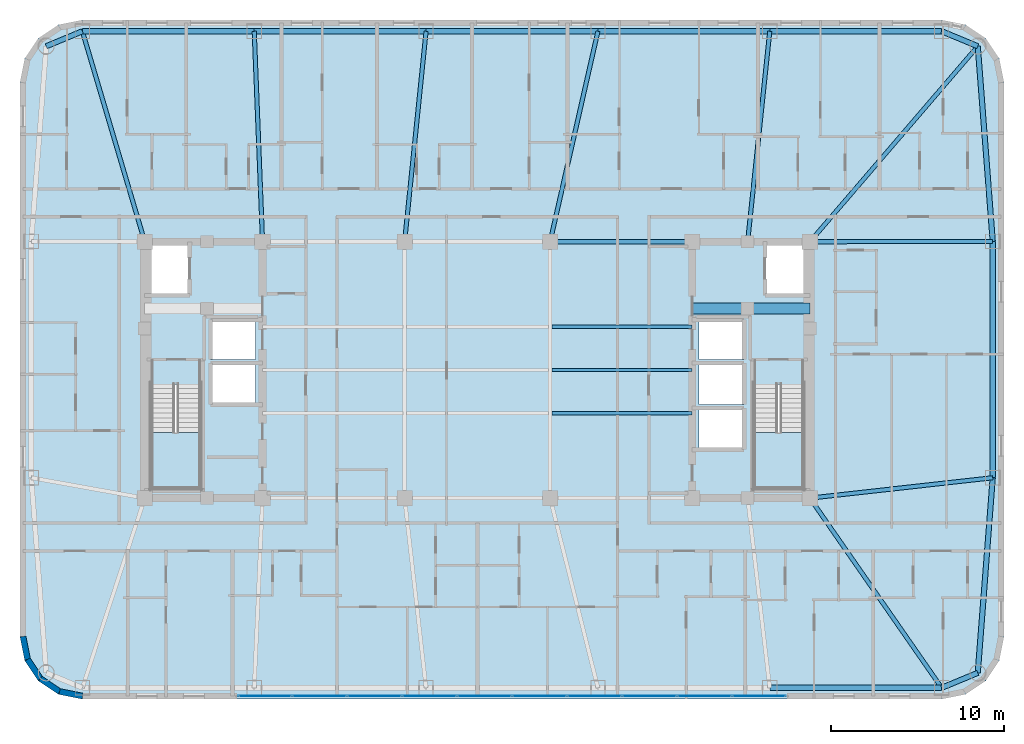
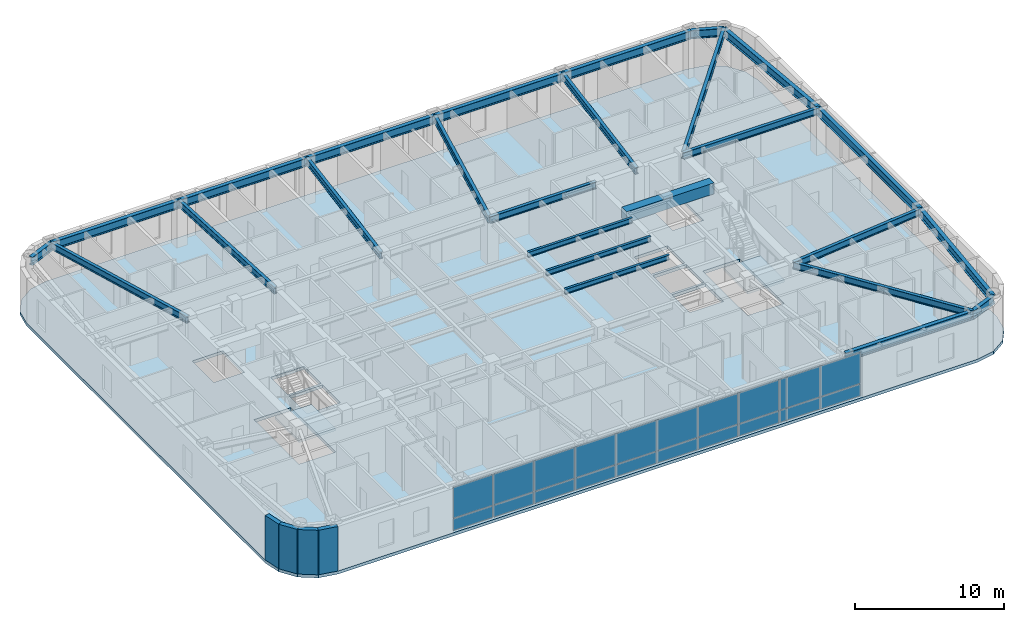
# One storey, part 7 of 17: 26 beams, 20 plates, 4 walls, 3 slabs, 3 elements without a shape of their own.
"""IFC4 building model written with IfcOpenShell, lengths in metres."""

import ifcopenshell
import ifcopenshell.guid

model = None  # the IFC model being written
_history = None  # IfcOwnerHistory: only IFC2X3 demands one
_inside = {}  # id of a spatial element -> (the spatial element, [elements in it])
_under = {}  # id of a project, library or spatial element -> (it, [spatial elements below it])
_declared = {}  # id of a project -> (the project, [libraries it declares])
_typed = {}  # id of a type object -> (the type object, [elements of that type])
_made_of = {}  # id of a material, layer set ... -> (it, [elements and type objects made of it])


def new_model(schema):
    """Start an empty IFC model of exactly this schema.

    Asked for "IFC4X3", IfcOpenShell would pick the latest addendum, in which some entities
    have other attributes; the version numbers below select the first issue.
    IFC2X3 requires an IfcOwnerHistory on every rooted entity: one is made here for all.
    """
    global model, _history
    if schema == "IFC4X3":
        model = ifcopenshell.file(schema_version=(4, 3, 0, 0))
    else:
        model = ifcopenshell.file(schema=schema)
    _inside.clear()
    _under.clear()
    _declared.clear()
    _typed.clear()
    _made_of.clear()
    _history = None
    if model.schema == "IFC2X3":
        org = make("IfcOrganization", Name="unknown")
        user = make(
            "IfcPersonAndOrganization",
            ThePerson=make("IfcPerson", FamilyName="unknown"),
            TheOrganization=org,
        )
        app = make(
            "IfcApplication",
            ApplicationDeveloper=org,
            Version="unknown",
            ApplicationFullName="unknown",
            ApplicationIdentifier="unknown",
        )
        _history = make(
            "IfcOwnerHistory",
            OwningUser=user,
            OwningApplication=app,
            ChangeAction="ADDED",
            CreationDate=0,
        )
    return model


def make(cls, **values):
    """One entity of the class cls with the attributes given. An attribute that is None is left unset."""
    return model.create_entity(
        cls, **{name: value for name, value in values.items() if value is not None}
    )


def rooted(cls, **values):
    """An entity with a GlobalId (a new one), such as an element, a storey or a relation."""
    return make(cls, GlobalId=ifcopenshell.guid.new(), OwnerHistory=_history, **values)


def si_unit(unit_type, name, prefix=None):
    """IfcSIUnit, for example si_unit("LENGTHUNIT", "METRE", prefix="MILLI")."""
    return make("IfcSIUnit", UnitType=unit_type, Prefix=prefix, Name=name)


def assignment(units):
    """IfcUnitAssignment: the units of a project."""
    return None if units is None else make("IfcUnitAssignment", Units=units)


def point(xyz):
    """IfcCartesianPoint."""
    return None if xyz is None else make("IfcCartesianPoint", Coordinates=xyz)


def direction(xyz):
    """IfcDirection."""
    return None if xyz is None else make("IfcDirection", DirectionRatios=xyz)


def frame(location, z_axis=None, x_axis=None):
    """IfcAxis2Placement3D, a coordinate frame: its origin and axes. An axis left out is left unset."""
    return make(
        "IfcAxis2Placement3D",
        Location=point(location),
        Axis=direction(z_axis),
        RefDirection=direction(x_axis),
    )


def frame_2d(location, x_axis=None):
    """IfcAxis2Placement2D, a coordinate frame in the plane: its origin and x axis."""
    return make(
        "IfcAxis2Placement2D", Location=point(location), RefDirection=direction(x_axis)
    )


def origin():
    """The frame at (0, 0, 0) with its axes left unset."""
    return frame((0.0, 0.0, 0.0))


def origin_2d():
    """The frame at (0, 0) in the plane with its x axis left unset."""
    return frame_2d((0.0, 0.0))


def place(relative_to, where):
    """IfcLocalPlacement: puts the frame where relative to a parent placement (None: the world)."""
    return make(
        "IfcLocalPlacement", PlacementRelTo=relative_to, RelativePlacement=where
    )


def context(
    kind, dimensions, precision=None, world=None, true_north=None, identifier=None
):
    """IfcGeometricRepresentationContext, for example the 3D "Model" context."""
    return make(
        "IfcGeometricRepresentationContext",
        ContextIdentifier=identifier,
        ContextType=kind,
        CoordinateSpaceDimension=dimensions,
        Precision=precision,
        WorldCoordinateSystem=world,
        TrueNorth=true_north,
    )


def subcontext(parent, identifier, kind, view, scale=None):
    """IfcGeometricRepresentationSubContext, for example "Body" below "Model"."""
    return make(
        "IfcGeometricRepresentationSubContext",
        ContextIdentifier=identifier,
        ContextType=kind,
        ParentContext=parent,
        TargetScale=scale,
        TargetView=view,
    )


def project(units=None, contexts=None):
    """IfcProject with its units and contexts."""
    return rooted(
        "IfcProject",
        Name="project",
        RepresentationContexts=contexts,
        UnitsInContext=assignment(units),
    )


def spatial(cls, under=None, at=None, **own):
    """A site, building, storey or space (cls), placed at a placement, below another one or the project."""
    s = rooted(cls, ObjectPlacement=at, **own)
    if under is not None:
        _under.setdefault(under.id(), (under, []))[1].append(s)
    return s


def polyline(points):
    """IfcPolyline through the points."""
    return make("IfcPolyline", Points=[point(p) for p in points])


def profile(cls, at=None, kind="AREA", **sizes):
    """A parametric profile (cls). Its sizes go by their IFC names, for example OverallWidth=200.0."""
    return make(cls, ProfileType=kind, Position=at, **sizes)


def rectangle(**sizes):
    """IfcRectangleProfileDef."""
    return profile("IfcRectangleProfileDef", **sizes)


def i_section(**sizes):
    """IfcIShapeProfileDef."""
    return profile("IfcIShapeProfileDef", **sizes)


def outline(outer, holes=None, kind="AREA"):
    """IfcArbitraryClosedProfileDef: a profile drawn as a closed curve; with holes, ...WithVoids."""
    if holes is None:
        return make("IfcArbitraryClosedProfileDef", ProfileType=kind, OuterCurve=outer)
    return make(
        "IfcArbitraryProfileDefWithVoids",
        ProfileType=kind,
        OuterCurve=outer,
        InnerCurves=holes,
    )


def extrude(swept, where, along, depth):
    """IfcExtrudedAreaSolid: the profile swept, set in the frame where, extruded along a direction by depth."""
    return make(
        "IfcExtrudedAreaSolid",
        SweptArea=swept,
        Position=where,
        ExtrudedDirection=direction(along),
        Depth=depth,
    )


def shape(context_of_items, identifier, shape_type, items):
    """IfcShapeRepresentation: the items that make up one representation, for example the "Body"."""
    return make(
        "IfcShapeRepresentation",
        ContextOfItems=context_of_items,
        RepresentationIdentifier=identifier,
        RepresentationType=shape_type,
        Items=items,
    )


def material(Name=None, Category=None):
    """IfcMaterial."""
    return make("IfcMaterial", Name=Name, Category=Category)


def layer(
    of_material, thickness, ventilated=None, Name=None, Category=None, Priority=None
):
    """IfcMaterialLayer: one layer of a wall or slab, of a material (None: an air gap)."""
    return make(
        "IfcMaterialLayer",
        Material=of_material,
        LayerThickness=thickness,
        IsVentilated=ventilated,
        Name=Name,
        Category=Category,
        Priority=Priority,
    )


def layer_set(layers, Name=None):
    """IfcMaterialLayerSet."""
    return make("IfcMaterialLayerSet", MaterialLayers=layers, LayerSetName=Name)


def material_profile(
    of_material, cross_section, Name=None, Category=None, Priority=None
):
    """IfcMaterialProfile: a cross section and its material."""
    return make(
        "IfcMaterialProfile",
        Name=Name,
        Material=of_material,
        Profile=cross_section,
        Priority=Priority,
        Category=Category,
    )


def profile_set(profiles, Name=None, composite=None):
    """IfcMaterialProfileSet."""
    return make(
        "IfcMaterialProfileSet",
        Name=Name,
        MaterialProfiles=profiles,
        CompositeProfile=composite,
    )


def made_of(thing, what):
    """Note that an element or type object is made of a material, layer set ...; save() writes the relation."""
    if what is not None:
        _made_of.setdefault(what.id(), (what, []))[1].append(thing)
    return thing


def type_object(cls, material=None, **own):
    """A type object (cls), such as IfcWallType, which elements share."""
    return made_of(rooted(cls, **own), material)


def element(
    cls,
    number,
    at=None,
    inside=None,
    cuts=None,
    type_object=None,
    material=None,
    context=None,
    identifier="Body",
    shape_type=None,
    held_by="IfcProductDefinitionShape",
    body=None,
    shapes=None,
    **own,
):
    """One element of the class cls, such as IfcWall. Its Tag is "e" and its number.

    at: its placement. inside: the storey or other place that contains it. cuts: it is an
    opening in that element (IfcRelVoidsElement). A single representation is given by context,
    identifier, shape_type and body (its items); several are given by shapes. held_by: the class
    of the entity that holds the representations. save() writes the other relations.
    """
    e = rooted(cls, Tag="e%d" % number, ObjectPlacement=at, **own)
    if body is not None:
        shapes = [shape(context, identifier, shape_type, body)]
    if shapes is not None:
        e.Representation = make(held_by, Representations=shapes)
    if inside is not None:
        _inside.setdefault(inside.id(), (inside, []))[1].append(e)
    if cuts is not None:
        rooted(
            "IfcRelVoidsElement", RelatingBuildingElement=cuts, RelatedOpeningElement=e
        )
    if type_object is not None:
        _typed.setdefault(type_object.id(), (type_object, []))[1].append(e)
    return made_of(e, material)


def aggregate(whole, parts):
    """IfcRelAggregates: a whole, such as a stair, and the parts it consists of."""
    return rooted("IfcRelAggregates", RelatingObject=whole, RelatedObjects=parts)


def save(model, path):
    """Write the relations noted so far, then the file.

    IfcRelAggregates (storeys below a building ...), IfcRelContainedInSpatialStructure (elements
    in a storey), IfcRelDefinesByType, IfcRelAssociatesMaterial and IfcRelDeclares: one each for
    every whole, place, type object, material and project.
    """
    for whole, parts in _under.values():
        aggregate(whole, parts)
    for where, things in _inside.values():
        rooted(
            "IfcRelContainedInSpatialStructure",
            RelatedElements=things,
            RelatingStructure=where,
        )
    for kind, things in _typed.values():
        rooted("IfcRelDefinesByType", RelatedObjects=things, RelatingType=kind)
    for what, things in _made_of.values():
        rooted("IfcRelAssociatesMaterial", RelatedObjects=things, RelatingMaterial=what)
    for by, libraries in _declared.values():
        rooted("IfcRelDeclares", RelatingContext=by, RelatedDefinitions=libraries)
    model.write(path)


model = new_model("IFC4")

# Units and contexts
model_context = context("Model", 3, precision=1e-05, world=origin(), true_north=direction((0.0, 1.0)))
body_context = subcontext(model_context, "Body", "Model", "MODEL_VIEW")
ifc_project = project(units=[si_unit("LENGTHUNIT", "METRE"), si_unit("AREAUNIT", "SQUARE_METRE"), si_unit("VOLUMEUNIT", "CUBIC_METRE"), si_unit("PLANEANGLEUNIT", "RADIAN"), si_unit("MASSUNIT", "GRAM", prefix="KILO")], contexts=[model_context])

# Site, building, storey
site_placement = place(None, origin())
site = spatial("IfcSite", under=ifc_project, at=site_placement, CompositionType="ELEMENT")
building_placement = place(site_placement, origin())
building = spatial("IfcBuilding", under=site, at=building_placement, Name="Voryun Gate Residences", CompositionType="ELEMENT")
storey_placement = place(building_placement, frame((0.0, 0.0, 204.10009765625)))
storey = spatial("IfcBuildingStorey", under=building, at=storey_placement, Name="L50", CompositionType="ELEMENT", Elevation=204.10009765625)

# Beams
ifc_material_1 = material(Name="Concrete C60/75", Category="concrete")
ifc_material_profile_1 = material_profile(ifc_material_1, rectangle(XDim=0.64990234375, YDim=0.89990234375, at=origin_2d()), Name="RC-650x900")
ifc_profile_set_1 = profile_set([ifc_material_profile_1], Name="Concrete C60/75")
beam_type_1 = type_object("IfcBeamType", Name="BM_COUP_RC900", PredefinedType="LINTEL", material=ifc_profile_set_1)
beam_1_placement = place(storey_placement, frame((12.39990234375, 3.550048828125, 3.199951171875), z_axis=(1.0, 0.0, 0.0), x_axis=(0.0, 1.0, 0.0)))
element("IfcBeam", 1, at=beam_1_placement, inside=storey, type_object=beam_type_1, Name="BM-L50-EC1", PredefinedType="LINTEL", context=body_context, shape_type="SweptSolid", body=[
    extrude(rectangle(XDim=0.64990234375, YDim=0.89990234375, at=origin_2d()), origin(), (0.0, 0.0, 1.0), 6.800048828125),
])
ifc_material_2 = material(Name="Steel SM355", Category="steel")
ifc_material_profile_2 = material_profile(ifc_material_2, i_section(OverallWidth=0.300048828125, OverallDepth=0.679931640625, WebThickness=0.013916015625, FlangeThickness=0.02490234375, FilletRadius=0.01806640625, at=origin_2d()), Name="H-680x300x14x25")
ifc_profile_set_2 = profile_set([ifc_material_profile_2], Name="Steel SM355")
beam_type_2 = type_object("IfcBeamType", Name="BM_EXO_SPANDREL_M", PredefinedType="SPANDREL", material=ifc_profile_set_2)
beam_2_placement = place(storey_placement, frame((16.8798828125, -18.35009765625, 3.309814453125), z_axis=(1.0, 0.0, 0.0), x_axis=(0.0, 1.0, 0.0)))
element("IfcBeam", 2, at=beam_2_placement, inside=storey, type_object=beam_type_2, Name="BM-L50-SPAND-05", PredefinedType="SPANDREL", context=body_context, shape_type="SweptSolid", body=[
    extrude(i_section(OverallWidth=0.300048828125, OverallDepth=0.679931640625, WebThickness=0.013916015625, FlangeThickness=0.02490234375, FilletRadius=0.01806640625, at=origin_2d()), origin(), (0.0, 0.0, 1.0), 9.920166015625),
])
beam_3_placement = place(storey_placement, frame((26.800048828125, -18.35009765625, 3.309814453125), z_axis=(0.923881087602, 0.382679678022, 0.0), x_axis=(-0.382679678022, 0.923881087602, 0.0)))
element("IfcBeam", 3, at=beam_3_placement, inside=storey, type_object=beam_type_2, Name="BM-L50-SPAND-06", PredefinedType="SPANDREL", context=body_context, shape_type="SweptSolid", body=[
    extrude(i_section(OverallWidth=0.300048828125, OverallDepth=0.679931640625, WebThickness=0.013916015625, FlangeThickness=0.02490234375, FilletRadius=0.01806640625, at=origin_2d()), origin(), (0.0, 0.0, 1.0), 2.2578125),
])
beam_4_placement = place(storey_placement, frame((28.885986328125, -17.486083984375, 3.309814453125), z_axis=(0.076480009441, 0.997071114894, 0.0), x_axis=(-0.997071114894, 0.076480009441, 0.0)))
element("IfcBeam", 4, at=beam_4_placement, inside=storey, type_object=beam_type_2, Name="BM-L50-SPAND-07", PredefinedType="SPANDREL", context=body_context, shape_type="SweptSolid", body=[
    extrude(i_section(OverallWidth=0.300048828125, OverallDepth=0.679931640625, WebThickness=0.013916015625, FlangeThickness=0.02490234375, FilletRadius=0.01806640625, at=origin_2d()), origin(), (0.0, 0.0, 1.0), 11.29736328125),
])
beam_5_placement = place(storey_placement, frame((29.75, -6.221923828125, 3.309814453125), z_axis=(0.0, 1.0, 0.0), x_axis=(-1.0, 0.0, 0.0)))
element("IfcBeam", 5, at=beam_5_placement, inside=storey, type_object=beam_type_2, Name="BM-L50-SPAND-08", PredefinedType="SPANDREL", context=body_context, shape_type="SweptSolid", body=[
    extrude(i_section(OverallWidth=0.300048828125, OverallDepth=0.679931640625, WebThickness=0.013916015625, FlangeThickness=0.02490234375, FilletRadius=0.01806640625, at=origin_2d()), origin(), (0.0, 0.0, 1.0), 13.64404296875),
])
beam_6_placement = place(storey_placement, frame((29.75, 7.422119140625, 3.309814453125), z_axis=(-0.076481657417, 0.997070988485, 0.0), x_axis=(-0.997070988485, -0.076481657417, 0.0)))
element("IfcBeam", 6, at=beam_6_placement, inside=storey, type_object=beam_type_2, Name="BM-L50-SPAND-09", PredefinedType="SPANDREL", context=body_context, shape_type="SweptSolid", body=[
    extrude(i_section(OverallWidth=0.300048828125, OverallDepth=0.679931640625, WebThickness=0.013916015625, FlangeThickness=0.02490234375, FilletRadius=0.01806640625, at=origin_2d()), origin(), (0.0, 0.0, 1.0), 11.297119140625),
])
beam_7_placement = place(storey_placement, frame((28.885986328125, 18.68603515625, 3.309814453125), z_axis=(-0.923881087602, 0.382679678022, 0.0), x_axis=(-0.382679678022, -0.923881087602, 0.0)))
element("IfcBeam", 7, at=beam_7_placement, inside=storey, type_object=beam_type_2, Name="BM-L50-SPAND-10", PredefinedType="SPANDREL", context=body_context, shape_type="SweptSolid", body=[
    extrude(i_section(OverallWidth=0.300048828125, OverallDepth=0.679931640625, WebThickness=0.013916015625, FlangeThickness=0.02490234375, FilletRadius=0.01806640625, at=origin_2d()), origin(), (0.0, 0.0, 1.0), 2.2578125),
])
beam_8_placement = place(storey_placement, frame((26.800048828125, 19.550048828125, 3.309814453125), z_axis=(-1.0, 0.0, 0.0), x_axis=(0.0, -1.0, 0.0)))
element("IfcBeam", 8, at=beam_8_placement, inside=storey, type_object=beam_type_2, Name="BM-L50-SPAND-11", PredefinedType="SPANDREL", context=body_context, shape_type="SweptSolid", body=[
    extrude(i_section(OverallWidth=0.300048828125, OverallDepth=0.679931640625, WebThickness=0.013916015625, FlangeThickness=0.02490234375, FilletRadius=0.01806640625, at=origin_2d()), origin(), (0.0, 0.0, 1.0), 9.920166015625),
])
for number, where, z_axis, x_axis, name in (
    (9, (16.8798828125, 19.550048828125, 3.309814453125), (-1.0, 0.0, 0.0), (0.0, -1.0, 0.0), "BM-L50-SPAND-12"),
    (10, (6.9599609375, 19.550048828125, 3.309814453125), (-1.0, 0.0, 0.0), (0.0, -1.0, 0.0), "BM-L50-SPAND-13"),
    (11, (-2.9599609375, 19.550048828125, 3.309814453125), (-1.0, 0.0, 0.0), (0.0, -1.0, 0.0), "BM-L50-SPAND-14"),
):
    element("IfcBeam", number, at=place(storey_placement, frame(where, z_axis=z_axis, x_axis=x_axis)), inside=storey, type_object=beam_type_2, Name=name, PredefinedType="SPANDREL", context=body_context, shape_type="SweptSolid", body=[
        extrude(i_section(OverallWidth=0.300048828125, OverallDepth=0.679931640625, WebThickness=0.013916015625, FlangeThickness=0.02490234375, FilletRadius=0.01806640625, at=origin_2d()), origin(), (0.0, 0.0, 1.0), 9.919921875),
    ])
beam_9_placement = place(storey_placement, frame((-12.8798828125, 19.550048828125, 3.309814453125), z_axis=(-1.0, 0.0, 0.0), x_axis=(0.0, -1.0, 0.0)))
element("IfcBeam", 12, at=beam_9_placement, inside=storey, type_object=beam_type_2, Name="BM-L50-SPAND-15", PredefinedType="SPANDREL", context=body_context, shape_type="SweptSolid", body=[
    extrude(i_section(OverallWidth=0.300048828125, OverallDepth=0.679931640625, WebThickness=0.013916015625, FlangeThickness=0.02490234375, FilletRadius=0.01806640625, at=origin_2d()), origin(), (0.0, 0.0, 1.0), 9.920166015625),
])
beam_10_placement = place(storey_placement, frame((-22.800048828125, 19.550048828125, 3.309814453125), z_axis=(-0.923881087602, -0.382679678022, 0.0), x_axis=(0.382679678022, -0.923881087602, 0.0)))
element("IfcBeam", 13, at=beam_10_placement, inside=storey, type_object=beam_type_2, Name="BM-L50-SPAND-16", PredefinedType="SPANDREL", context=body_context, shape_type="SweptSolid", body=[
    extrude(i_section(OverallWidth=0.300048828125, OverallDepth=0.679931640625, WebThickness=0.013916015625, FlangeThickness=0.02490234375, FilletRadius=0.01806640625, at=origin_2d()), origin(), (0.0, 0.0, 1.0), 2.2578125),
])
ifc_material_3 = material(Name="Steel SM355", Category="steel")
ifc_material_profile_3 = material_profile(ifc_material_3, i_section(OverallWidth=0.239990234375, OverallDepth=0.550048828125, WebThickness=0.011962890625, FlangeThickness=0.02001953125, FilletRadius=0.01806640625, at=origin_2d()), Name="H-550x240x12x20")
ifc_profile_set_3 = profile_set([ifc_material_profile_3], Name="Steel SM355")
beam_type_3 = type_object("IfcBeamType", Name="BM_GIRD_550", PredefinedType="USERDEFINED", material=ifc_profile_set_3)
beam_11_placement = place(storey_placement, frame((4.199951171875, 7.39990234375, 3.375), z_axis=(1.0, 0.0, 0.0), x_axis=(0.0, 1.0, 0.0)))
element("IfcBeam", 14, at=beam_11_placement, inside=storey, type_object=beam_type_3, Name="BM-L50-SPG3-N", ObjectType="GIRDER", PredefinedType="USERDEFINED", context=body_context, shape_type="SweptSolid", body=[
    extrude(i_section(OverallWidth=0.239990234375, OverallDepth=0.550048828125, WebThickness=0.011962890625, FlangeThickness=0.02001953125, FilletRadius=0.01806640625, at=origin_2d()), origin(), (0.0, 0.0, 1.0), 8.199951171875),
])
beam_12_placement = place(storey_placement, frame((19.199951171875, -7.39990234375, 3.375), z_axis=(0.570182975489, -0.821517726201, 0.0), x_axis=(0.821517726201, 0.570182975489, 0.0)))
element("IfcBeam", 15, at=beam_12_placement, inside=storey, type_object=beam_type_3, Name="BM-L50-RAD-S6", ObjectType="GIRDER", PredefinedType="USERDEFINED", context=body_context, shape_type="SweptSolid", body=[
    extrude(i_section(OverallWidth=0.239990234375, OverallDepth=0.550048828125, WebThickness=0.011962890625, FlangeThickness=0.02001953125, FilletRadius=0.01806640625, at=origin_2d()), origin(), (0.0, 0.0, 1.0), 13.329345703125),
])
beam_13_placement = place(storey_placement, frame((19.199951171875, -7.39990234375, 3.375), z_axis=(0.993824131675, 0.110966640486, 0.0), x_axis=(-0.110966640486, 0.993824131675, 0.0)))
element("IfcBeam", 16, at=beam_13_placement, inside=storey, type_object=beam_type_3, Name="BM-L50-RAD-E1", ObjectType="GIRDER", PredefinedType="USERDEFINED", context=body_context, shape_type="SweptSolid", body=[
    extrude(i_section(OverallWidth=0.239990234375, OverallDepth=0.550048828125, WebThickness=0.011962890625, FlangeThickness=0.02001953125, FilletRadius=0.01806640625, at=origin_2d()), origin(), (0.0, 0.0, 1.0), 10.61572265625),
])
beam_14_placement = place(storey_placement, frame((19.199951171875, 7.39990234375, 3.375), z_axis=(0.99999778271, 0.002105843108, 0.0), x_axis=(-0.002105843108, 0.99999778271, 0.0)))
element("IfcBeam", 17, at=beam_14_placement, inside=storey, type_object=beam_type_3, Name="BM-L50-RAD-E2", ObjectType="GIRDER", PredefinedType="USERDEFINED", context=body_context, shape_type="SweptSolid", body=[
    extrude(i_section(OverallWidth=0.239990234375, OverallDepth=0.550048828125, WebThickness=0.011962890625, FlangeThickness=0.02001953125, FilletRadius=0.01806640625, at=origin_2d()), origin(), (0.0, 0.0, 1.0), 10.550048828125),
])
beam_15_placement = place(storey_placement, frame((19.199951171875, 7.39990234375, 3.375), z_axis=(0.651264396721, 0.758850898111, 0.0), x_axis=(-0.758850898111, 0.651264396721, 0.0)))
element("IfcBeam", 18, at=beam_15_placement, inside=storey, type_object=beam_type_3, Name="BM-L50-RAD-CNE", ObjectType="GIRDER", PredefinedType="USERDEFINED", context=body_context, shape_type="SweptSolid", body=[
    extrude(i_section(OverallWidth=0.239990234375, OverallDepth=0.550048828125, WebThickness=0.011962890625, FlangeThickness=0.02001953125, FilletRadius=0.01806640625, at=origin_2d()), origin(), (0.0, 0.0, 1.0), 14.87255859375),
])
beam_16_placement = place(storey_placement, frame((15.60009765625, 7.39990234375, 3.375), z_axis=(0.104751358085, 0.994498442925, 0.0), x_axis=(-0.994498442925, 0.104751358085, 0.0)))
element("IfcBeam", 19, at=beam_16_placement, inside=storey, type_object=beam_type_3, Name="BM-L50-RAD-N2", ObjectType="GIRDER", PredefinedType="USERDEFINED", context=body_context, shape_type="SweptSolid", body=[
    extrude(i_section(OverallWidth=0.239990234375, OverallDepth=0.550048828125, WebThickness=0.011962890625, FlangeThickness=0.02001953125, FilletRadius=0.01806640625, at=origin_2d()), origin(), (0.0, 0.0, 1.0), 12.21728515625),
])
beam_17_placement = place(storey_placement, frame((4.199951171875, 7.39990234375, 3.375), z_axis=(0.221515238368, 0.975156910026, 0.0), x_axis=(-0.975156910026, 0.221515238368, 0.0)))
element("IfcBeam", 20, at=beam_17_placement, inside=storey, type_object=beam_type_3, Name="BM-L50-RAD-N3", ObjectType="GIRDER", PredefinedType="USERDEFINED", context=body_context, shape_type="SweptSolid", body=[
    extrude(i_section(OverallWidth=0.239990234375, OverallDepth=0.550048828125, WebThickness=0.011962890625, FlangeThickness=0.02001953125, FilletRadius=0.01806640625, at=origin_2d()), origin(), (0.0, 0.0, 1.0), 12.459716796875),
])
beam_18_placement = place(storey_placement, frame((-4.199951171875, 7.39990234375, 3.375), z_axis=(0.101528223047, 0.994832659257, 0.0), x_axis=(-0.994832659257, 0.101528223047, 0.0)))
element("IfcBeam", 21, at=beam_18_placement, inside=storey, type_object=beam_type_3, Name="BM-L50-RAD-N4", ObjectType="GIRDER", PredefinedType="USERDEFINED", context=body_context, shape_type="SweptSolid", body=[
    extrude(i_section(OverallWidth=0.239990234375, OverallDepth=0.550048828125, WebThickness=0.011962890625, FlangeThickness=0.02001953125, FilletRadius=0.01806640625, at=origin_2d()), origin(), (0.0, 0.0, 1.0), 12.213134765625),
])
beam_19_placement = place(storey_placement, frame((-12.39990234375, 7.39990234375, 3.375), z_axis=(-0.039473300578, 0.999220625558, 0.0), x_axis=(-0.999220625558, -0.039473300578, 0.0)))
element("IfcBeam", 22, at=beam_19_placement, inside=storey, type_object=beam_type_3, Name="BM-L50-RAD-N5", ObjectType="GIRDER", PredefinedType="USERDEFINED", context=body_context, shape_type="SweptSolid", body=[
    extrude(i_section(OverallWidth=0.239990234375, OverallDepth=0.550048828125, WebThickness=0.011962890625, FlangeThickness=0.02001953125, FilletRadius=0.01806640625, at=origin_2d()), origin(), (0.0, 0.0, 1.0), 12.15966796875),
])
beam_20_placement = place(storey_placement, frame((-19.199951171875, 7.39990234375, 3.375), z_axis=(-0.284092265434, 0.958796946553, 0.0), x_axis=(-0.958796946553, -0.284092265434, 0.0)))
element("IfcBeam", 23, at=beam_20_placement, inside=storey, type_object=beam_type_3, Name="BM-L50-RAD-N6", ObjectType="GIRDER", PredefinedType="USERDEFINED", context=body_context, shape_type="SweptSolid", body=[
    extrude(i_section(OverallWidth=0.239990234375, OverallDepth=0.550048828125, WebThickness=0.011962890625, FlangeThickness=0.02001953125, FilletRadius=0.01806640625, at=origin_2d()), origin(), (0.0, 0.0, 1.0), 12.67236328125),
])
ifc_material_4 = material(Name="Steel SM355", Category="steel")
ifc_material_profile_4 = material_profile(ifc_material_4, i_section(OverallWidth=0.18994140625, OverallDepth=0.419921875, WebThickness=0.009033203125, FlangeThickness=0.01611328125, FilletRadius=0.01806640625, at=origin_2d()), Name="H-420x190x9x16")
ifc_profile_set_4 = profile_set([ifc_material_profile_4], Name="Steel SM355")
beam_type_4 = type_object("IfcBeamType", Name="BM_SEC_420", PredefinedType="BEAM", material=ifc_profile_set_4)
for number, where, z_axis, x_axis, name in (
    (24, (4.300048828125, -2.5, 3.43994140625), (1.0, 0.0, 0.0), (0.0, 1.0, 0.0), "BM-L50-SEC-CS3"),
    (25, (4.300048828125, 0.0, 3.43994140625), (1.0, 0.0, 0.0), (0.0, 1.0, 0.0), "BM-L50-SEC-CM3"),
    (26, (4.300048828125, 2.5, 3.43994140625), (1.0, 0.0, 0.0), (0.0, 1.0, 0.0), "BM-L50-SEC-CN3"),
):
    element("IfcBeam", number, at=place(storey_placement, frame(where, z_axis=z_axis, x_axis=x_axis)), inside=storey, type_object=beam_type_4, Name=name, PredefinedType="BEAM", context=body_context, shape_type="SweptSolid", body=[
        extrude(i_section(OverallWidth=0.18994140625, OverallDepth=0.419921875, WebThickness=0.009033203125, FlangeThickness=0.01611328125, FilletRadius=0.01806640625, at=origin_2d()), origin(), (0.0, 0.0, 1.0), 8.099853515625),
    ])

# Curtain wall, plates
ifc_material_5 = material(Name="Anodised aluminium", Category="aluminium")
ifc_layer_1 = layer(ifc_material_5, 0.2099609375, Name="CW_SYS_SKYGARDEN_DARK_GLASS")
ifc_layer_set_1 = layer_set([ifc_layer_1], Name="Anodised aluminium")
curtain_wall_type = type_object("IfcCurtainWallType", Name="CW_SYS_SKYGARDEN_DARK_GLASS", PredefinedType="NOTDEFINED", material=ifc_layer_set_1)
curtain_wall_placement = place(storey_placement, origin())
curtain_wall = element("IfcCurtainWall", 27, at=curtain_wall_placement, inside=storey, type_object=curtain_wall_type, Name="Curtain wall CW5-L50-SG-01", PredefinedType="NOTDEFINED")
ifc_material_6 = material(Name="Laminated low-E glass", Category="glass")
ifc_layer_2 = layer(ifc_material_6, 0.0458984375, Name="PLT_GLASS_DARK_SKY")
ifc_layer_set_2 = layer_set([ifc_layer_2], Name="Laminated low-E glass")
plate_type = type_object("IfcPlateType", Name="PLT_GLASS_DARK_SKY", PredefinedType="CURTAIN_PANEL", material=ifc_layer_set_2)
plate_1_placement = place(storey_placement, frame((16.26025390625, -18.830078125, 0.059814453125), z_axis=(0.0, 0.0, 1.0), x_axis=(-1.0, 0.0, 0.0)))
plate_1 = element("IfcPlate", 28, at=plate_1_placement, type_object=plate_type, Name="CW5 panel 1.1", PredefinedType="CURTAIN_PANEL", context=body_context, shape_type="SweptSolid", body=[
    extrude(rectangle(XDim=3.082275390625, YDim=0.028076171875, at=origin_2d()), origin(), (0.0, 0.0, 1.0), 0.9599609375),
])
plate_2_placement = place(storey_placement, frame((16.26025390625, -18.830078125, 1.080078125), z_axis=(0.0, 0.0, 1.0), x_axis=(-1.0, 0.0, 0.0)))
plate_2 = element("IfcPlate", 29, at=plate_2_placement, type_object=plate_type, Name="CW5 panel 1.2", PredefinedType="CURTAIN_PANEL", context=body_context, shape_type="SweptSolid", body=[
    extrude(rectangle(XDim=3.082275390625, YDim=0.028076171875, at=origin_2d()), origin(), (0.0, 0.0, 1.0), 2.510009765625),
])
plate_3_placement = place(storey_placement, frame((13.10302734375, -18.830078125, 0.059814453125), z_axis=(0.0, 0.0, 1.0), x_axis=(-1.0, 0.0, 0.0)))
plate_3 = element("IfcPlate", 30, at=plate_3_placement, type_object=plate_type, Name="CW5 panel 2.1", PredefinedType="CURTAIN_PANEL", context=body_context, shape_type="SweptSolid", body=[
    extrude(rectangle(XDim=3.1123046875, YDim=0.028076171875, at=origin_2d()), origin(), (0.0, 0.0, 1.0), 0.9599609375),
])
plate_4_placement = place(storey_placement, frame((13.10302734375, -18.830078125, 1.080078125), z_axis=(0.0, 0.0, 1.0), x_axis=(-1.0, 0.0, 0.0)))
plate_4 = element("IfcPlate", 31, at=plate_4_placement, type_object=plate_type, Name="CW5 panel 2.2", PredefinedType="CURTAIN_PANEL", context=body_context, shape_type="SweptSolid", body=[
    extrude(rectangle(XDim=3.1123046875, YDim=0.028076171875, at=origin_2d()), origin(), (0.0, 0.0, 1.0), 2.510009765625),
])
plate_5_placement = place(storey_placement, frame((9.9306640625, -18.830078125, 0.059814453125), z_axis=(0.0, 0.0, 1.0), x_axis=(-1.0, 0.0, 0.0)))
plate_5 = element("IfcPlate", 32, at=plate_5_placement, type_object=plate_type, Name="CW5 panel 3.1", PredefinedType="CURTAIN_PANEL", context=body_context, shape_type="SweptSolid", body=[
    extrude(rectangle(XDim=3.1123046875, YDim=0.028076171875, at=origin_2d()), origin(), (0.0, 0.0, 1.0), 0.9599609375),
])
plate_6_placement = place(storey_placement, frame((9.9306640625, -18.830078125, 1.080078125), z_axis=(0.0, 0.0, 1.0), x_axis=(-1.0, 0.0, 0.0)))
plate_6 = element("IfcPlate", 33, at=plate_6_placement, type_object=plate_type, Name="CW5 panel 3.2", PredefinedType="CURTAIN_PANEL", context=body_context, shape_type="SweptSolid", body=[
    extrude(rectangle(XDim=3.1123046875, YDim=0.028076171875, at=origin_2d()), origin(), (0.0, 0.0, 1.0), 2.510009765625),
])
plate_7_placement = place(storey_placement, frame((6.75830078125, -18.830078125, 0.059814453125), z_axis=(0.0, 0.0, 1.0), x_axis=(-1.0, 0.0, 0.0)))
plate_7 = element("IfcPlate", 34, at=plate_7_placement, type_object=plate_type, Name="CW5 panel 4.1", PredefinedType="CURTAIN_PANEL", context=body_context, shape_type="SweptSolid", body=[
    extrude(rectangle(XDim=3.1123046875, YDim=0.028076171875, at=origin_2d()), origin(), (0.0, 0.0, 1.0), 0.9599609375),
])
plate_8_placement = place(storey_placement, frame((6.75830078125, -18.830078125, 1.080078125), z_axis=(0.0, 0.0, 1.0), x_axis=(-1.0, 0.0, 0.0)))
plate_8 = element("IfcPlate", 35, at=plate_8_placement, type_object=plate_type, Name="CW5 panel 4.2", PredefinedType="CURTAIN_PANEL", context=body_context, shape_type="SweptSolid", body=[
    extrude(rectangle(XDim=3.1123046875, YDim=0.028076171875, at=origin_2d()), origin(), (0.0, 0.0, 1.0), 2.510009765625),
])
plate_9_placement = place(storey_placement, frame((3.586181640625, -18.830078125, 0.059814453125), z_axis=(0.0, 0.0, 1.0), x_axis=(-1.0, 0.0, 0.0)))
plate_9 = element("IfcPlate", 36, at=plate_9_placement, type_object=plate_type, Name="CW5 panel 5.1", PredefinedType="CURTAIN_PANEL", context=body_context, shape_type="SweptSolid", body=[
    extrude(rectangle(XDim=3.1123046875, YDim=0.028076171875, at=origin_2d()), origin(), (0.0, 0.0, 1.0), 0.9599609375),
])
plate_10_placement = place(storey_placement, frame((3.586181640625, -18.830078125, 1.080078125), z_axis=(0.0, 0.0, 1.0), x_axis=(-1.0, 0.0, 0.0)))
plate_10 = element("IfcPlate", 37, at=plate_10_placement, type_object=plate_type, Name="CW5 panel 5.2", PredefinedType="CURTAIN_PANEL", context=body_context, shape_type="SweptSolid", body=[
    extrude(rectangle(XDim=3.1123046875, YDim=0.028076171875, at=origin_2d()), origin(), (0.0, 0.0, 1.0), 2.510009765625),
])
plate_11_placement = place(storey_placement, frame((0.413818359375, -18.830078125, 0.059814453125), z_axis=(0.0, 0.0, 1.0), x_axis=(-1.0, 0.0, 0.0)))
plate_11 = element("IfcPlate", 38, at=plate_11_placement, type_object=plate_type, Name="CW5 panel 6.1", PredefinedType="CURTAIN_PANEL", context=body_context, shape_type="SweptSolid", body=[
    extrude(rectangle(XDim=3.1123046875, YDim=0.028076171875, at=origin_2d()), origin(), (0.0, 0.0, 1.0), 0.9599609375),
])
plate_12_placement = place(storey_placement, frame((0.413818359375, -18.830078125, 1.080078125), z_axis=(0.0, 0.0, 1.0), x_axis=(-1.0, 0.0, 0.0)))
plate_12 = element("IfcPlate", 39, at=plate_12_placement, type_object=plate_type, Name="CW5 panel 6.2", PredefinedType="CURTAIN_PANEL", context=body_context, shape_type="SweptSolid", body=[
    extrude(rectangle(XDim=3.1123046875, YDim=0.028076171875, at=origin_2d()), origin(), (0.0, 0.0, 1.0), 2.510009765625),
])
plate_13_placement = place(storey_placement, frame((-2.75830078125, -18.830078125, 0.059814453125), z_axis=(0.0, 0.0, 1.0), x_axis=(-1.0, 0.0, 0.0)))
plate_13 = element("IfcPlate", 40, at=plate_13_placement, type_object=plate_type, Name="CW5 panel 7.1", PredefinedType="CURTAIN_PANEL", context=body_context, shape_type="SweptSolid", body=[
    extrude(rectangle(XDim=3.1123046875, YDim=0.028076171875, at=origin_2d()), origin(), (0.0, 0.0, 1.0), 0.9599609375),
])
plate_14_placement = place(storey_placement, frame((-2.75830078125, -18.830078125, 1.080078125), z_axis=(0.0, 0.0, 1.0), x_axis=(-1.0, 0.0, 0.0)))
plate_14 = element("IfcPlate", 41, at=plate_14_placement, type_object=plate_type, Name="CW5 panel 7.2", PredefinedType="CURTAIN_PANEL", context=body_context, shape_type="SweptSolid", body=[
    extrude(rectangle(XDim=3.1123046875, YDim=0.028076171875, at=origin_2d()), origin(), (0.0, 0.0, 1.0), 2.510009765625),
])
plate_15_placement = place(storey_placement, frame((-5.9306640625, -18.830078125, 0.059814453125), z_axis=(0.0, 0.0, 1.0), x_axis=(-1.0, 0.0, 0.0)))
plate_15 = element("IfcPlate", 42, at=plate_15_placement, type_object=plate_type, Name="CW5 panel 8.1", PredefinedType="CURTAIN_PANEL", context=body_context, shape_type="SweptSolid", body=[
    extrude(rectangle(XDim=3.1123046875, YDim=0.028076171875, at=origin_2d()), origin(), (0.0, 0.0, 1.0), 0.9599609375),
])
plate_16_placement = place(storey_placement, frame((-5.9306640625, -18.830078125, 1.080078125), z_axis=(0.0, 0.0, 1.0), x_axis=(-1.0, 0.0, 0.0)))
plate_16 = element("IfcPlate", 43, at=plate_16_placement, type_object=plate_type, Name="CW5 panel 8.2", PredefinedType="CURTAIN_PANEL", context=body_context, shape_type="SweptSolid", body=[
    extrude(rectangle(XDim=3.1123046875, YDim=0.028076171875, at=origin_2d()), origin(), (0.0, 0.0, 1.0), 2.510009765625),
])
plate_17_placement = place(storey_placement, frame((-9.10302734375, -18.830078125, 0.059814453125), z_axis=(0.0, 0.0, 1.0), x_axis=(-1.0, 0.0, 0.0)))
plate_17 = element("IfcPlate", 44, at=plate_17_placement, type_object=plate_type, Name="CW5 panel 9.1", PredefinedType="CURTAIN_PANEL", context=body_context, shape_type="SweptSolid", body=[
    extrude(rectangle(XDim=3.1123046875, YDim=0.028076171875, at=origin_2d()), origin(), (0.0, 0.0, 1.0), 0.9599609375),
])
plate_18_placement = place(storey_placement, frame((-9.10302734375, -18.830078125, 1.080078125), z_axis=(0.0, 0.0, 1.0), x_axis=(-1.0, 0.0, 0.0)))
plate_18 = element("IfcPlate", 45, at=plate_18_placement, type_object=plate_type, Name="CW5 panel 9.2", PredefinedType="CURTAIN_PANEL", context=body_context, shape_type="SweptSolid", body=[
    extrude(rectangle(XDim=3.1123046875, YDim=0.028076171875, at=origin_2d()), origin(), (0.0, 0.0, 1.0), 2.510009765625),
])
plate_19_placement = place(storey_placement, frame((-12.26025390625, -18.830078125, 0.059814453125), z_axis=(0.0, 0.0, 1.0), x_axis=(-1.0, 0.0, 0.0)))
plate_19 = element("IfcPlate", 46, at=plate_19_placement, type_object=plate_type, Name="CW5 panel 10.1", PredefinedType="CURTAIN_PANEL", context=body_context, shape_type="SweptSolid", body=[
    extrude(rectangle(XDim=3.082275390625, YDim=0.028076171875, at=origin_2d()), origin(), (0.0, 0.0, 1.0), 0.9599609375),
])
plate_20_placement = place(storey_placement, frame((-12.26025390625, -18.830078125, 1.080078125), z_axis=(0.0, 0.0, 1.0), x_axis=(-1.0, 0.0, 0.0)))
plate_20 = element("IfcPlate", 47, at=plate_20_placement, type_object=plate_type, Name="CW5 panel 10.2", PredefinedType="CURTAIN_PANEL", context=body_context, shape_type="SweptSolid", body=[
    extrude(rectangle(XDim=3.082275390625, YDim=0.028076171875, at=origin_2d()), origin(), (0.0, 0.0, 1.0), 2.510009765625),
])
aggregate(curtain_wall, [plate_1, plate_2, plate_3, plate_4, plate_5, plate_6, plate_7, plate_8, plate_9, plate_10, plate_11, plate_12, plate_13, plate_14, plate_15, plate_16, plate_17, plate_18, plate_19, plate_20])

# Slab
ifc_material_7 = material(Name="Concrete C40/50", Category="concrete")
ifc_layer_3 = layer(ifc_material_7, 0.25, Name="SLB_RES_250")
ifc_layer_set_3 = layer_set([ifc_layer_3], Name="Concrete C40/50")
slab_type_1 = type_object("IfcSlabType", Name="SLB_RES_250", PredefinedType="FLOOR", material=ifc_layer_set_3)
slab_1_placement = place(storey_placement, frame((0.0, 0.0, -0.25)))
element("IfcSlab", 48, at=slab_1_placement, inside=storey, type_object=slab_type_1, Name="L50 Structural Floor Slab", PredefinedType="FLOOR", context=body_context, shape_type="SweptSolid", body=[
    extrude(outline(polyline([(-22.800048828125, -19.0), (-24.177734375, -18.72607421875), (-25.345458984375, -17.945556640625), (-26.1259765625, -16.777587890625), (-26.39990234375, -15.39990234375), (-26.39990234375, 16.60009765625), (-26.1259765625, 17.9775390625), (-25.345458984375, 19.1455078125), (-24.177734375, 19.926025390625), (-22.800048828125, 20.199951171875), (26.800048828125, 20.199951171875), (28.177734375, 19.926025390625), (29.345458984375, 19.1455078125), (30.1259765625, 17.9775390625), (30.39990234375, 16.60009765625), (30.39990234375, -15.39990234375), (30.1259765625, -16.777587890625), (29.345458984375, -17.945556640625), (28.177734375, -18.72607421875), (26.800048828125, -19.0), (-22.800048828125, -19.0)]), holes=[polyline([(-15.97509765625, -6.85009765625), (-15.97509765625, -0.840087890625), (-18.824951171875, -0.840087890625), (-18.824951171875, -6.85009765625), (-15.97509765625, -6.85009765625)]), polyline([(18.824951171875, -6.85009765625), (18.824951171875, -0.840087890625), (15.97509765625, -0.840087890625), (15.97509765625, -6.85009765625), (18.824951171875, -6.85009765625)]), polyline([(15.39990234375, -2.199951171875), (12.800048828125, -2.199951171875), (12.800048828125, -4.60009765625), (15.39990234375, -4.60009765625), (15.39990234375, -2.199951171875)]), polyline([(-12.800048828125, 0.39990234375), (-15.39990234375, 0.39990234375), (-15.39990234375, -2.0), (-12.800048828125, -2.0), (-12.800048828125, 0.39990234375)]), polyline([(15.39990234375, 0.39990234375), (12.800048828125, 0.39990234375), (12.800048828125, -2.0), (15.39990234375, -2.0), (15.39990234375, 0.39990234375)]), polyline([(-12.800048828125, 2.89990234375), (-15.39990234375, 2.89990234375), (-15.39990234375, 0.60009765625), (-12.800048828125, 0.60009765625), (-12.800048828125, 2.89990234375)]), polyline([(15.39990234375, 2.89990234375), (12.800048828125, 2.89990234375), (12.800048828125, 0.60009765625), (15.39990234375, 0.60009765625), (15.39990234375, 2.89990234375)]), polyline([(-16.60009765625, 4.300048828125), (-16.60009765625, 7.199951171875), (-19.0, 7.199951171875), (-19.0, 4.300048828125), (-16.60009765625, 4.300048828125)]), polyline([(19.0, 4.300048828125), (19.0, 7.199951171875), (16.60009765625, 7.199951171875), (16.60009765625, 4.300048828125), (19.0, 4.300048828125)])]), origin(), (0.0, 0.0, 1.0), 0.25),
])

# Stair, slab
ifc_material_8 = material(Name="Concrete C40/50", Category="concrete")
stair_type = type_object("IfcStairType", Name="STR_CORE_DOGLEG_1350", PredefinedType="HALF_TURN_STAIR", material=ifc_material_8)
stair_1_placement = place(storey_placement, origin())
stair_1 = element("IfcStair", 49, at=stair_1_placement, inside=storey, type_object=stair_type, Name="L50 Special Escape Stair ST-W1", PredefinedType="HALF_TURN_STAIR")
ifc_material_9 = material(Name="Concrete C40/50", Category="concrete")
ifc_layer_4 = layer(ifc_material_9, 0.199951171875, Name="SLB_STAIR_LANDING_200")
ifc_layer_set_4 = layer_set([ifc_layer_4], Name="Concrete C40/50")
slab_type_2 = type_object("IfcSlabType", Name="SLB_STAIR_LANDING_200", PredefinedType="LANDING", material=ifc_layer_set_4)
slab_2_placement = place(storey_placement, frame((0.0, 0.0, 1.75)))
slab_2 = element("IfcSlab", 50, at=slab_2_placement, type_object=slab_type_2, Name="ST-W1 landing 1", PredefinedType="LANDING", context=body_context, shape_type="SweptSolid", body=[
    extrude(outline(polyline([(-18.824951171875, -3.60009765625), (-18.824951171875, -6.85009765625), (-15.97509765625, -6.85009765625), (-15.97509765625, -3.60009765625), (-18.824951171875, -3.60009765625)])), origin(), (0.0, 0.0, 1.0), 0.199951171875),
])
aggregate(stair_1, [slab_2])

stair_2_placement = place(storey_placement, origin())
stair_2 = element("IfcStair", 51, at=stair_2_placement, inside=storey, type_object=stair_type, Name="L50 Special Escape Stair ST-E1", PredefinedType="HALF_TURN_STAIR")
slab_3_placement = place(storey_placement, frame((0.0, 0.0, 1.75)))
slab_3 = element("IfcSlab", 52, at=slab_3_placement, type_object=slab_type_2, Name="ST-E1 landing 1", PredefinedType="LANDING", context=body_context, shape_type="SweptSolid", body=[
    extrude(outline(polyline([(15.97509765625, -3.60009765625), (15.97509765625, -6.85009765625), (18.824951171875, -6.85009765625), (18.824951171875, -3.60009765625), (15.97509765625, -3.60009765625)])), origin(), (0.0, 0.0, 1.0), 0.199951171875),
])
aggregate(stair_2, [slab_3])

# Walls
ifc_material_10 = material(Name="Charcoal terracotta masonry", Category="masonry")
ifc_layer_5 = layer(ifc_material_10, 0.340087890625, Name="W_EXT_TERRACOTTA_340")
ifc_layer_set_5 = layer_set([ifc_layer_5], Name="Charcoal terracotta masonry")
wall_type = type_object("IfcWallType", Name="W_EXT_TERRACOTTA_340", PredefinedType="ELEMENTEDWALL", material=ifc_layer_set_5)
wall_1_placement = place(storey_placement, frame((-22.783203125, -18.830078125, 0.0), z_axis=(0.0, 0.0, 1.0), x_axis=(-0.980788153188, 0.195075878998, 0.0)))
element("IfcWall", 53, at=wall_1_placement, inside=storey, type_object=wall_type, Name="Exterior wall WEXT-L50-02", PredefinedType="ELEMENTEDWALL", context=body_context, shape_type="SweptSolid", body=[
    extrude(rectangle(XDim=1.354248046875, YDim=0.340087890625, at=frame_2d((0.67724609375, 0.0))), origin(), (0.0, 0.0, 1.0), 3.64990234375),
])
wall_2_placement = place(storey_placement, frame((-24.111328125, -18.56591796875, 0.0), z_axis=(0.0, 0.0, 1.0), x_axis=(-0.831403586725, 0.555669034571, 0.0)))
element("IfcWall", 54, at=wall_2_placement, inside=storey, type_object=wall_type, Name="Exterior wall WEXT-L50-03", PredefinedType="ELEMENTEDWALL", context=body_context, shape_type="SweptSolid", body=[
    extrude(rectangle(XDim=1.3369140625, YDim=0.340087890625, at=frame_2d((0.66845703125, 0.0))), origin(), (0.0, 0.0, 1.0), 3.64990234375),
])
wall_3_placement = place(storey_placement, frame((-25.222900390625, -17.822998046875, 0.0), z_axis=(0.0, 0.0, 1.0), x_axis=(-0.555584683399, 0.831459956686, 0.0)))
element("IfcWall", 55, at=wall_3_placement, inside=storey, type_object=wall_type, Name="Exterior wall WEXT-L50-04", PredefinedType="ELEMENTEDWALL", context=body_context, shape_type="SweptSolid", body=[
    extrude(rectangle(XDim=1.337158203125, YDim=0.340087890625, at=frame_2d((0.66845703125, 0.0))), origin(), (0.0, 0.0, 1.0), 3.64990234375),
])
wall_4_placement = place(storey_placement, frame((-25.9658203125, -16.711181640625, 0.0), z_axis=(0.0, 0.0, 1.0), x_axis=(-0.195110379894, 0.98078129043, 0.0)))
element("IfcWall", 56, at=wall_4_placement, inside=storey, type_object=wall_type, Name="Exterior wall WEXT-L50-05", PredefinedType="ELEMENTEDWALL", context=body_context, shape_type="SweptSolid", body=[
    extrude(rectangle(XDim=1.35400390625, YDim=0.340087890625, at=frame_2d((0.677001953125, 0.0))), origin(), (0.0, 0.0, 1.0), 3.64990234375),
])

save(model, "model.ifc")
